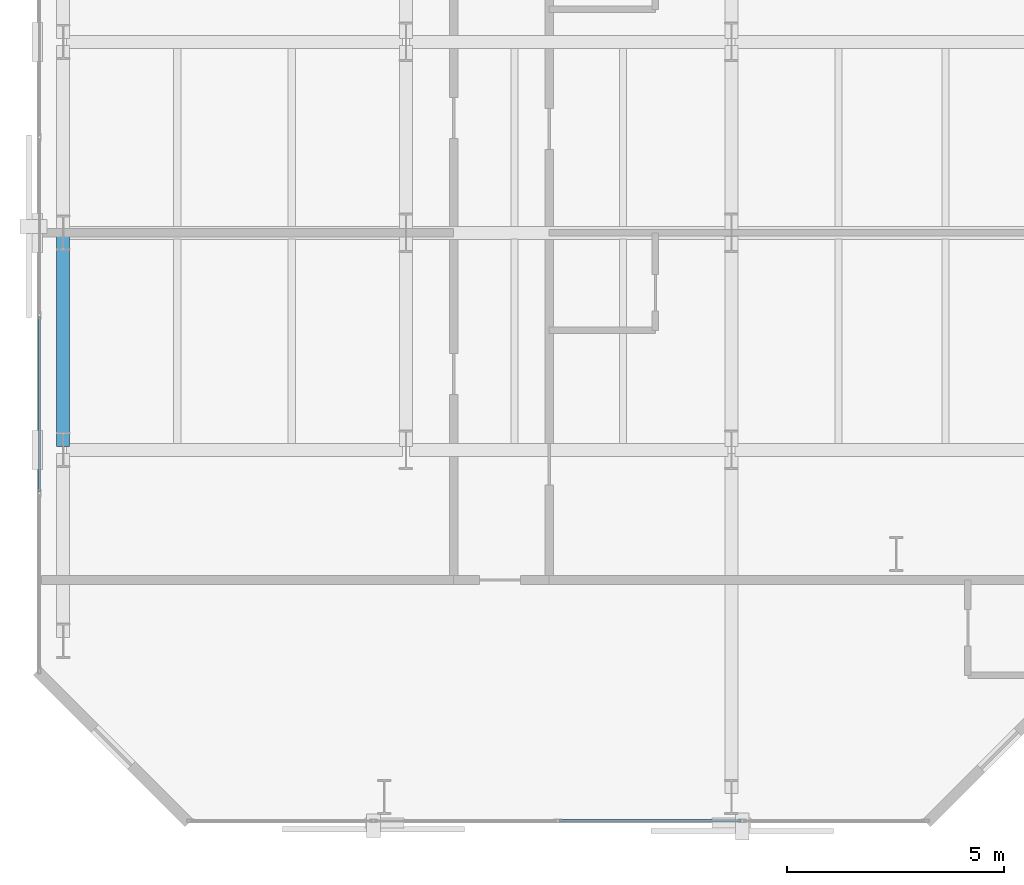
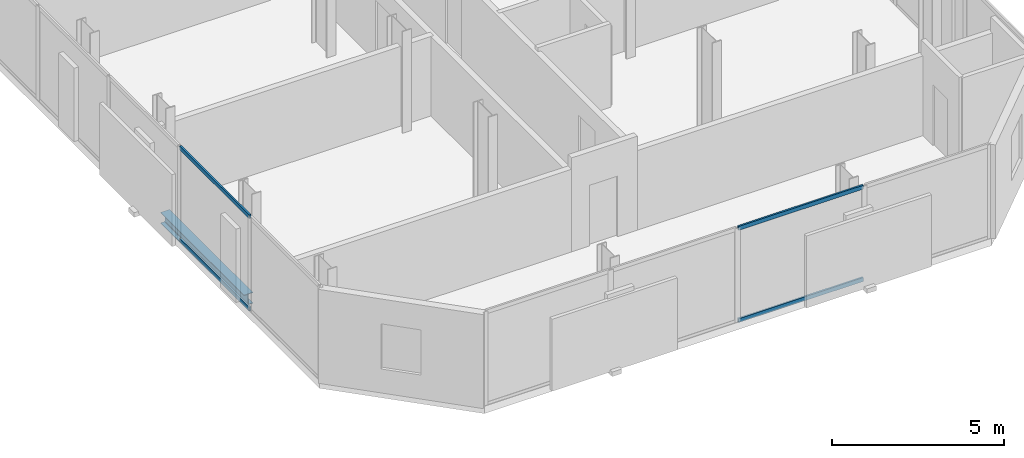
# One storey, part 4 of 32: 4 members, 1 beam, 2 elements without a shape of their own.
"""IFC4 building model written with IfcOpenShell, lengths in metres."""

from ifc_helpers import new_model, si_unit, direction, frame, origin, origin_2d, place, context, subcontext, project, spatial, hollow_rectangle, i_section, extrude, material, layer, layer_set, material_profile, profile_set, type_object, element, aggregate, save


model = new_model("IFC4")

# Units and contexts
model_context = context("Model", 3, precision=1e-05, world=origin(), true_north=direction((0.0, 1.0)))
body_context = subcontext(model_context, "Body", "Model", "MODEL_VIEW")
ifc_project = project(units=[si_unit("LENGTHUNIT", "METRE"), si_unit("AREAUNIT", "SQUARE_METRE"), si_unit("VOLUMEUNIT", "CUBIC_METRE"), si_unit("PLANEANGLEUNIT", "RADIAN"), si_unit("MASSUNIT", "GRAM", prefix="KILO")], contexts=[model_context])

# Site, building, storey
site_placement = place(None, origin())
site = spatial("IfcSite", under=ifc_project, at=site_placement, CompositionType="ELEMENT")
building_placement = place(site_placement, origin())
building = spatial("IfcBuilding", under=site, at=building_placement, Name="Catumbela Crestline Tower", CompositionType="ELEMENT")
storey_placement = place(building_placement, frame((0.0, 0.0, 61.8)))
storey = spatial("IfcBuildingStorey", under=building, at=storey_placement, Name="L15", CompositionType="ELEMENT", Elevation=61.8)

# Beam
ifc_material_1 = material(Name="Structural steel S355J2", Category="steel")
ifc_material_profile_1 = material_profile(ifc_material_1, i_section(OverallWidth=0.3, OverallDepth=0.39, WebThickness=0.011, FlangeThickness=0.019, FilletRadius=0.027, at=origin_2d()), Name="HEA 400")
ifc_profile_set_1 = profile_set([ifc_material_profile_1], Name="Structural steel S355J2")
beam_type = type_object("IfcBeamType", Name="BS-HEA400", PredefinedType="SPANDREL", material=ifc_profile_set_1)
beam_placement = place(storey_placement, frame((0.6, 8.68, -0.455), z_axis=(0.0, 1.0, 0.0), x_axis=(-1.0, 0.0, 0.0)))
element("IfcBeam", 1, at=beam_placement, inside=storey, type_object=beam_type, Name="L15 Spandrel SP-L15-WNS58", PredefinedType="SPANDREL", context=body_context, shape_type="SweptSolid", body=[
    extrude(i_section(OverallWidth=0.3, OverallDepth=0.39, WebThickness=0.011, FlangeThickness=0.019, FilletRadius=0.027, at=origin_2d()), origin(), (0.0, 0.0, 1.0), 4.84),
])

# Curtain wall, members
ifc_material_2 = material(Name="Aluminium alloy AW-6060-T66", Category="aluminium")
ifc_layer = layer(ifc_material_2, 0.18, Name="Aluminium alloy AW-6060-T66")
ifc_layer_set = layer_set([ifc_layer], Name="Aluminium alloy AW-6060-T66")
curtain_wall_type = type_object("IfcCurtainWallType", Name="CWU-Z1", PredefinedType="USERDEFINED", material=ifc_layer_set)
curtain_wall_1_placement = place(storey_placement, origin())
curtain_wall_1 = element("IfcCurtainWall", 2, at=curtain_wall_1_placement, inside=storey, type_object=curtain_wall_type, Name="L15 Unitised Curtain Wall CW-L15-E0S1", ObjectType="UNITISED", PredefinedType="USERDEFINED")
ifc_material_profile_2 = material_profile(ifc_material_2, hollow_rectangle(XDim=0.06, YDim=0.14, WallThickness=0.004, at=origin_2d()), Name="ALU 140x60x4")
ifc_profile_set_2 = profile_set([ifc_material_profile_2], Name="Aluminium alloy AW-6060-T66")
member_type = type_object("IfcMemberType", Name="TRN-140X60", PredefinedType="USERDEFINED", material=ifc_profile_set_2)
member_1_placement = place(storey_placement, frame((12.0325, 0.05, 0.03), z_axis=(1.0, 0.0, 0.0), x_axis=(0.0, 1.0, 0.0)))
member_1 = element("IfcMember", 3, at=member_1_placement, type_object=member_type, Name="CWU-Z1 transom 3.1", ObjectType="TRANSOM", PredefinedType="USERDEFINED", context=body_context, shape_type="SweptSolid", body=[
    extrude(hollow_rectangle(XDim=0.06, YDim=0.14, WallThickness=0.004, at=origin_2d()), origin(), (0.0, 0.0, 1.0), 4.185),
])
member_2_placement = place(storey_placement, frame((12.0325, 0.05, 3.3), z_axis=(1.0, 0.0, 0.0), x_axis=(0.0, 1.0, 0.0)))
member_2 = element("IfcMember", 4, at=member_2_placement, type_object=member_type, Name="CWU-Z1 transom 3.2", ObjectType="TRANSOM", PredefinedType="USERDEFINED", context=body_context, shape_type="SweptSolid", body=[
    extrude(hollow_rectangle(XDim=0.06, YDim=0.14, WallThickness=0.004, at=origin_2d()), origin(), (0.0, 0.0, 1.0), 4.185),
])
aggregate(curtain_wall_1, [member_1, member_2])

curtain_wall_2_placement = place(storey_placement, origin())
curtain_wall_2 = element("IfcCurtainWall", 5, at=curtain_wall_2_placement, inside=storey, type_object=curtain_wall_type, Name="L15 Unitised Curtain Wall CW-L15-E9S1", ObjectType="UNITISED", PredefinedType="USERDEFINED")
member_3_placement = place(storey_placement, frame((0.05, 11.6675, 0.03), z_axis=(0.0, -1.0, 0.0), x_axis=(1.0, 0.0, 0.0)))
member_3 = element("IfcMember", 6, at=member_3_placement, type_object=member_type, Name="CWU-Z1 transom 9.1", ObjectType="TRANSOM", PredefinedType="USERDEFINED", context=body_context, shape_type="SweptSolid", body=[
    extrude(hollow_rectangle(XDim=0.06, YDim=0.14, WallThickness=0.004, at=origin_2d()), origin(), (0.0, 0.0, 1.0), 4.035),
])
member_4_placement = place(storey_placement, frame((0.05, 11.6675, 3.3), z_axis=(0.0, -1.0, 0.0), x_axis=(1.0, 0.0, 0.0)))
member_4 = element("IfcMember", 7, at=member_4_placement, type_object=member_type, Name="CWU-Z1 transom 9.2", ObjectType="TRANSOM", PredefinedType="USERDEFINED", context=body_context, shape_type="SweptSolid", body=[
    extrude(hollow_rectangle(XDim=0.06, YDim=0.14, WallThickness=0.004, at=origin_2d()), origin(), (0.0, 0.0, 1.0), 4.035),
])
aggregate(curtain_wall_2, [member_3, member_4])

save(model, "model.ifc")
